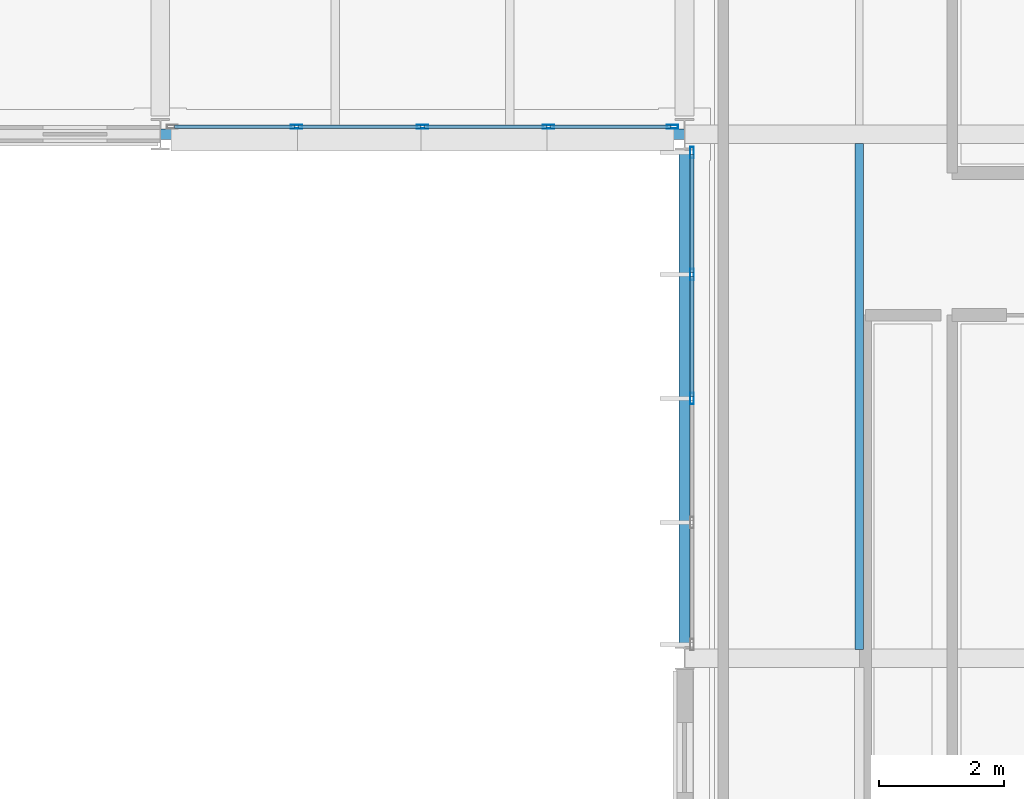
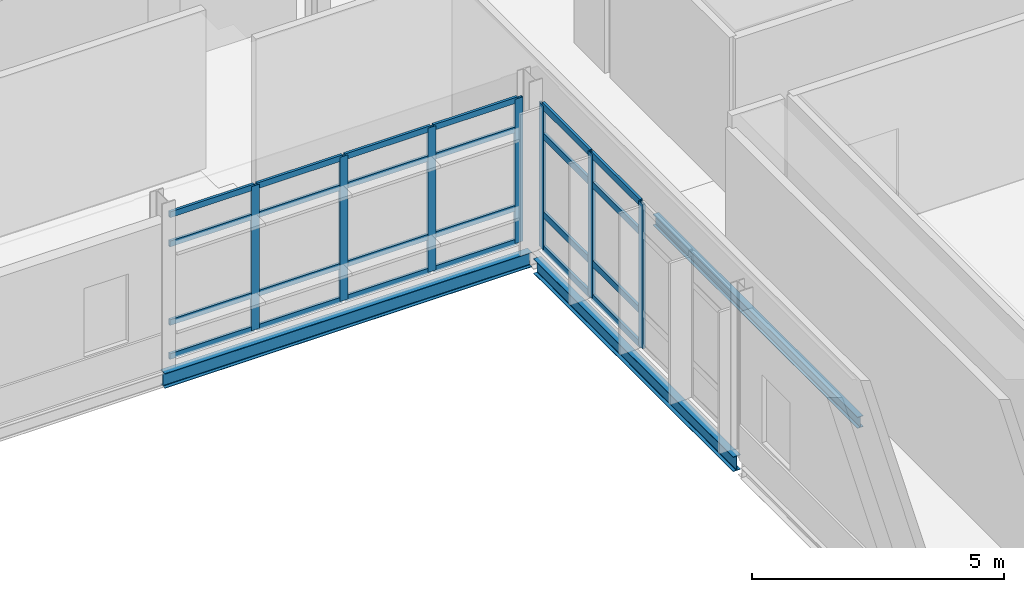
# One storey, part 101 of 151: 31 members, 3 beams, 2 elements without a shape of their own.
"""IFC4 building model written with IfcOpenShell, lengths in metres."""

import ifcopenshell
import ifcopenshell.guid

model = None  # the IFC model being written
_history = None  # IfcOwnerHistory: only IFC2X3 demands one
_inside = {}  # id of a spatial element -> (the spatial element, [elements in it])
_under = {}  # id of a project, library or spatial element -> (it, [spatial elements below it])
_declared = {}  # id of a project -> (the project, [libraries it declares])
_typed = {}  # id of a type object -> (the type object, [elements of that type])
_made_of = {}  # id of a material, layer set ... -> (it, [elements and type objects made of it])


def new_model(schema):
    """Start an empty IFC model of exactly this schema.

    Asked for "IFC4X3", IfcOpenShell would pick the latest addendum, in which some entities
    have other attributes; the version numbers below select the first issue.
    IFC2X3 requires an IfcOwnerHistory on every rooted entity: one is made here for all.
    """
    global model, _history
    if schema == "IFC4X3":
        model = ifcopenshell.file(schema_version=(4, 3, 0, 0))
    else:
        model = ifcopenshell.file(schema=schema)
    _inside.clear()
    _under.clear()
    _declared.clear()
    _typed.clear()
    _made_of.clear()
    _history = None
    if model.schema == "IFC2X3":
        org = make("IfcOrganization", Name="unknown")
        user = make(
            "IfcPersonAndOrganization",
            ThePerson=make("IfcPerson", FamilyName="unknown"),
            TheOrganization=org,
        )
        app = make(
            "IfcApplication",
            ApplicationDeveloper=org,
            Version="unknown",
            ApplicationFullName="unknown",
            ApplicationIdentifier="unknown",
        )
        _history = make(
            "IfcOwnerHistory",
            OwningUser=user,
            OwningApplication=app,
            ChangeAction="ADDED",
            CreationDate=0,
        )
    return model


def make(cls, **values):
    """One entity of the class cls with the attributes given. An attribute that is None is left unset."""
    return model.create_entity(
        cls, **{name: value for name, value in values.items() if value is not None}
    )


def rooted(cls, **values):
    """An entity with a GlobalId (a new one), such as an element, a storey or a relation."""
    return make(cls, GlobalId=ifcopenshell.guid.new(), OwnerHistory=_history, **values)


def si_unit(unit_type, name, prefix=None):
    """IfcSIUnit, for example si_unit("LENGTHUNIT", "METRE", prefix="MILLI")."""
    return make("IfcSIUnit", UnitType=unit_type, Prefix=prefix, Name=name)


def assignment(units):
    """IfcUnitAssignment: the units of a project."""
    return None if units is None else make("IfcUnitAssignment", Units=units)


def point(xyz):
    """IfcCartesianPoint."""
    return None if xyz is None else make("IfcCartesianPoint", Coordinates=xyz)


def direction(xyz):
    """IfcDirection."""
    return None if xyz is None else make("IfcDirection", DirectionRatios=xyz)


def frame(location, z_axis=None, x_axis=None):
    """IfcAxis2Placement3D, a coordinate frame: its origin and axes. An axis left out is left unset."""
    return make(
        "IfcAxis2Placement3D",
        Location=point(location),
        Axis=direction(z_axis),
        RefDirection=direction(x_axis),
    )


def frame_2d(location, x_axis=None):
    """IfcAxis2Placement2D, a coordinate frame in the plane: its origin and x axis."""
    return make(
        "IfcAxis2Placement2D", Location=point(location), RefDirection=direction(x_axis)
    )


def origin():
    """The frame at (0, 0, 0) with its axes left unset."""
    return frame((0.0, 0.0, 0.0))


def origin_2d():
    """The frame at (0, 0) in the plane with its x axis left unset."""
    return frame_2d((0.0, 0.0))


def place(relative_to, where):
    """IfcLocalPlacement: puts the frame where relative to a parent placement (None: the world)."""
    return make(
        "IfcLocalPlacement", PlacementRelTo=relative_to, RelativePlacement=where
    )


def context(
    kind, dimensions, precision=None, world=None, true_north=None, identifier=None
):
    """IfcGeometricRepresentationContext, for example the 3D "Model" context."""
    return make(
        "IfcGeometricRepresentationContext",
        ContextIdentifier=identifier,
        ContextType=kind,
        CoordinateSpaceDimension=dimensions,
        Precision=precision,
        WorldCoordinateSystem=world,
        TrueNorth=true_north,
    )


def subcontext(parent, identifier, kind, view, scale=None):
    """IfcGeometricRepresentationSubContext, for example "Body" below "Model"."""
    return make(
        "IfcGeometricRepresentationSubContext",
        ContextIdentifier=identifier,
        ContextType=kind,
        ParentContext=parent,
        TargetScale=scale,
        TargetView=view,
    )


def project(units=None, contexts=None):
    """IfcProject with its units and contexts."""
    return rooted(
        "IfcProject",
        Name="project",
        RepresentationContexts=contexts,
        UnitsInContext=assignment(units),
    )


def spatial(cls, under=None, at=None, **own):
    """A site, building, storey or space (cls), placed at a placement, below another one or the project."""
    s = rooted(cls, ObjectPlacement=at, **own)
    if under is not None:
        _under.setdefault(under.id(), (under, []))[1].append(s)
    return s


def profile(cls, at=None, kind="AREA", **sizes):
    """A parametric profile (cls). Its sizes go by their IFC names, for example OverallWidth=200.0."""
    return make(cls, ProfileType=kind, Position=at, **sizes)


def hollow_rectangle(**sizes):
    """IfcRectangleHollowProfileDef."""
    return profile("IfcRectangleHollowProfileDef", **sizes)


def i_section(**sizes):
    """IfcIShapeProfileDef."""
    return profile("IfcIShapeProfileDef", **sizes)


def extrude(swept, where, along, depth):
    """IfcExtrudedAreaSolid: the profile swept, set in the frame where, extruded along a direction by depth."""
    return make(
        "IfcExtrudedAreaSolid",
        SweptArea=swept,
        Position=where,
        ExtrudedDirection=direction(along),
        Depth=depth,
    )


def shape(context_of_items, identifier, shape_type, items):
    """IfcShapeRepresentation: the items that make up one representation, for example the "Body"."""
    return make(
        "IfcShapeRepresentation",
        ContextOfItems=context_of_items,
        RepresentationIdentifier=identifier,
        RepresentationType=shape_type,
        Items=items,
    )


def material(Name=None, Category=None):
    """IfcMaterial."""
    return make("IfcMaterial", Name=Name, Category=Category)


def material_profile(
    of_material, cross_section, Name=None, Category=None, Priority=None
):
    """IfcMaterialProfile: a cross section and its material."""
    return make(
        "IfcMaterialProfile",
        Name=Name,
        Material=of_material,
        Profile=cross_section,
        Priority=Priority,
        Category=Category,
    )


def profile_set(profiles, Name=None, composite=None):
    """IfcMaterialProfileSet."""
    return make(
        "IfcMaterialProfileSet",
        Name=Name,
        MaterialProfiles=profiles,
        CompositeProfile=composite,
    )


def made_of(thing, what):
    """Note that an element or type object is made of a material, layer set ...; save() writes the relation."""
    if what is not None:
        _made_of.setdefault(what.id(), (what, []))[1].append(thing)
    return thing


def type_object(cls, material=None, **own):
    """A type object (cls), such as IfcWallType, which elements share."""
    return made_of(rooted(cls, **own), material)


def element(
    cls,
    number,
    at=None,
    inside=None,
    cuts=None,
    type_object=None,
    material=None,
    context=None,
    identifier="Body",
    shape_type=None,
    held_by="IfcProductDefinitionShape",
    body=None,
    shapes=None,
    **own,
):
    """One element of the class cls, such as IfcWall. Its Tag is "e" and its number.

    at: its placement. inside: the storey or other place that contains it. cuts: it is an
    opening in that element (IfcRelVoidsElement). A single representation is given by context,
    identifier, shape_type and body (its items); several are given by shapes. held_by: the class
    of the entity that holds the representations. save() writes the other relations.
    """
    e = rooted(cls, Tag="e%d" % number, ObjectPlacement=at, **own)
    if body is not None:
        shapes = [shape(context, identifier, shape_type, body)]
    if shapes is not None:
        e.Representation = make(held_by, Representations=shapes)
    if inside is not None:
        _inside.setdefault(inside.id(), (inside, []))[1].append(e)
    if cuts is not None:
        rooted(
            "IfcRelVoidsElement", RelatingBuildingElement=cuts, RelatedOpeningElement=e
        )
    if type_object is not None:
        _typed.setdefault(type_object.id(), (type_object, []))[1].append(e)
    return made_of(e, material)


def aggregate(whole, parts):
    """IfcRelAggregates: a whole, such as a stair, and the parts it consists of."""
    return rooted("IfcRelAggregates", RelatingObject=whole, RelatedObjects=parts)


def save(model, path):
    """Write the relations noted so far, then the file.

    IfcRelAggregates (storeys below a building ...), IfcRelContainedInSpatialStructure (elements
    in a storey), IfcRelDefinesByType, IfcRelAssociatesMaterial and IfcRelDeclares: one each for
    every whole, place, type object, material and project.
    """
    for whole, parts in _under.values():
        aggregate(whole, parts)
    for where, things in _inside.values():
        rooted(
            "IfcRelContainedInSpatialStructure",
            RelatedElements=things,
            RelatingStructure=where,
        )
    for kind, things in _typed.values():
        rooted("IfcRelDefinesByType", RelatedObjects=things, RelatingType=kind)
    for what, things in _made_of.values():
        rooted("IfcRelAssociatesMaterial", RelatedObjects=things, RelatingMaterial=what)
    for by, libraries in _declared.values():
        rooted("IfcRelDeclares", RelatingContext=by, RelatedDefinitions=libraries)
    model.write(path)


model = new_model("IFC4")

# Units and contexts
model_context = context("Model", 3, precision=1e-05, world=origin(), true_north=direction((0.0, 1.0)))
body_context = subcontext(model_context, "Body", "Model", "MODEL_VIEW")
ifc_project = project(units=[si_unit("LENGTHUNIT", "METRE"), si_unit("AREAUNIT", "SQUARE_METRE"), si_unit("VOLUMEUNIT", "CUBIC_METRE"), si_unit("PLANEANGLEUNIT", "RADIAN"), si_unit("MASSUNIT", "GRAM", prefix="KILO")], contexts=[model_context])

# Site, building, storey
site_placement = place(None, origin())
site = spatial("IfcSite", under=ifc_project, at=site_placement, CompositionType="ELEMENT")
building_placement = place(site_placement, origin())
building = spatial("IfcBuilding", under=site, at=building_placement, Name="Mersafa Astral City Hall", CompositionType="ELEMENT")
storey_placement = place(building_placement, frame((0.0, 0.0, 9.89990234375)))
storey = spatial("IfcBuildingStorey", under=building, at=storey_placement, Name="L02", CompositionType="ELEMENT", Elevation=9.89990234375)

# Curtain wall, members
ifc_material_1 = material(Name="Anodised bronze aluminium framing", Category="aluminium")
curtain_wall_type_1 = type_object("IfcCurtainWallType", Name="ENV-CW-2", PredefinedType="USERDEFINED", material=ifc_material_1)
curtain_wall_1_placement = place(storey_placement, origin())
curtain_wall_1 = element("IfcCurtainWall", 1, at=curtain_wall_1_placement, inside=storey, type_object=curtain_wall_type_1, Name="L02 Unitised solar curtain wall 121", ObjectType="UNITISED CURTAIN WALL", PredefinedType="USERDEFINED")
ifc_material_profile_1 = material_profile(ifc_material_1, hollow_rectangle(XDim=0.06005859375, YDim=0.179931640625, WallThickness=0.00390625, at=origin_2d()), Name="RHS 60x180x4")
ifc_profile_set_1 = profile_set([ifc_material_profile_1], Name="Anodised bronze aluminium framing")
member_type_1 = type_object("IfcMemberType", Name="ENV-CW-MUL-1", PredefinedType="MULLION", material=ifc_profile_set_1)
member_1_placement = place(storey_placement, frame((153.381103515625, 100.919921875, -0.001953125), z_axis=(0.0, 0.0, 1.0), x_axis=(0.0, 1.0, 0.0)))
member_1 = element("IfcMember", 2, at=member_1_placement, type_object=member_type_1, Name="CW-2 mullion 2", PredefinedType="MULLION", context=body_context, shape_type="SweptSolid", body=[
    extrude(hollow_rectangle(XDim=0.06005859375, YDim=0.179931640625, WallThickness=0.00390625, at=origin_2d()), origin(), (0.0, 0.0, 1.0), 3.489013671875),
])
member_2_placement = place(storey_placement, frame((155.39990234375, 100.919921875, -0.001953125), z_axis=(0.0, 0.0, 1.0), x_axis=(0.0, 1.0, 0.0)))
member_2 = element("IfcMember", 3, at=member_2_placement, type_object=member_type_1, Name="CW-2 mullion 3", PredefinedType="MULLION", context=body_context, shape_type="SweptSolid", body=[
    extrude(hollow_rectangle(XDim=0.06005859375, YDim=0.179931640625, WallThickness=0.00390625, at=origin_2d()), origin(), (0.0, 0.0, 1.0), 3.489013671875),
])
member_3_placement = place(storey_placement, frame((157.4189453125, 100.919921875, -0.001953125), z_axis=(0.0, 0.0, 1.0), x_axis=(0.0, 1.0, 0.0)))
member_3 = element("IfcMember", 4, at=member_3_placement, type_object=member_type_1, Name="CW-2 mullion 4", PredefinedType="MULLION", context=body_context, shape_type="SweptSolid", body=[
    extrude(hollow_rectangle(XDim=0.06005859375, YDim=0.179931640625, WallThickness=0.00390625, at=origin_2d()), origin(), (0.0, 0.0, 1.0), 3.489013671875),
])
member_4_placement = place(storey_placement, frame((159.407958984375, 100.919921875, -0.001953125), z_axis=(0.0, 0.0, 1.0), x_axis=(0.0, 1.0, 0.0)))
member_4 = element("IfcMember", 5, at=member_4_placement, type_object=member_type_1, Name="CW-2 mullion 5", PredefinedType="MULLION", context=body_context, shape_type="SweptSolid", body=[
    extrude(hollow_rectangle(XDim=0.06005859375, YDim=0.179931640625, WallThickness=0.00390625, at=origin_2d()), origin(), (0.0, 0.0, 1.0), 3.489013671875),
])

curtain_wall_type_2 = type_object("IfcCurtainWallType", Name="ENV-CW-3", PredefinedType="USERDEFINED", material=ifc_material_1)
curtain_wall_2_placement = place(storey_placement, origin())
curtain_wall_2 = element("IfcCurtainWall", 6, at=curtain_wall_2_placement, inside=storey, type_object=curtain_wall_type_2, Name="L02 Unitised solar curtain wall 122", ObjectType="UNITISED CURTAIN WALL", PredefinedType="USERDEFINED")
member_5_placement = place(storey_placement, frame((159.719970703125, 100.508056640625, -0.001953125), z_axis=(0.0, 0.0, 1.0), x_axis=(1.0, 0.0, 0.0)))
member_5 = element("IfcMember", 7, at=member_5_placement, type_object=member_type_1, Name="CW-3 mullion 1", PredefinedType="MULLION", context=body_context, shape_type="SweptSolid", body=[
    extrude(hollow_rectangle(XDim=0.06005859375, YDim=0.179931640625, WallThickness=0.00390625, at=origin_2d()), origin(), (0.0, 0.0, 1.0), 3.489013671875),
])
member_6_placement = place(storey_placement, frame((159.719970703125, 98.551513671875, -0.001953125), z_axis=(0.0, 0.0, 1.0), x_axis=(1.0, 0.0, 0.0)))
member_6 = element("IfcMember", 8, at=member_6_placement, type_object=member_type_1, Name="CW-3 mullion 2", PredefinedType="MULLION", context=body_context, shape_type="SweptSolid", body=[
    extrude(hollow_rectangle(XDim=0.06005859375, YDim=0.179931640625, WallThickness=0.00390625, at=origin_2d()), origin(), (0.0, 0.0, 1.0), 3.489013671875),
])
member_7_placement = place(storey_placement, frame((159.719970703125, 96.56494140625, -0.001953125), z_axis=(0.0, 0.0, 1.0), x_axis=(1.0, 0.0, 0.0)))
member_7 = element("IfcMember", 9, at=member_7_placement, type_object=member_type_1, Name="CW-3 mullion 3", PredefinedType="MULLION", context=body_context, shape_type="SweptSolid", body=[
    extrude(hollow_rectangle(XDim=0.06005859375, YDim=0.179931640625, WallThickness=0.00390625, at=origin_2d()), origin(), (0.0, 0.0, 1.0), 3.489013671875),
])

# Member
ifc_material_profile_2 = material_profile(ifc_material_1, hollow_rectangle(XDim=0.06005859375, YDim=0.139892578125, WallThickness=0.00390625, at=origin_2d()), Name="RHS 60x140x4")
ifc_profile_set_2 = profile_set([ifc_material_profile_2], Name="Anodised bronze aluminium framing")
member_type_2 = type_object("IfcMemberType", Name="ENV-CW-TRN-1", PredefinedType="USERDEFINED", material=ifc_profile_set_2)
member_8_placement = place(storey_placement, frame((151.422119140625, 100.919921875, 0.028076171875), z_axis=(1.0, 0.0, 0.0), x_axis=(0.0, 1.0, 0.0)))
member_8 = element("IfcMember", 10, at=member_8_placement, type_object=member_type_2, Name="CW-2 transom 1.1", ObjectType="TRANSOM", PredefinedType="USERDEFINED", context=body_context, shape_type="SweptSolid", body=[
    extrude(hollow_rectangle(XDim=0.06005859375, YDim=0.139892578125, WallThickness=0.00390625, at=origin_2d()), origin(), (0.0, 0.0, 1.0), 1.928955078125),
])

member_9_placement = place(storey_placement, frame((151.422119140625, 100.919921875, 0.85009765625), z_axis=(1.0, 0.0, 0.0), x_axis=(0.0, 1.0, 0.0)))
member_9 = element("IfcMember", 11, at=member_9_placement, type_object=member_type_2, Name="CW-2 transom 1.2", ObjectType="TRANSOM", PredefinedType="USERDEFINED", context=body_context, shape_type="SweptSolid", body=[
    extrude(hollow_rectangle(XDim=0.06005859375, YDim=0.139892578125, WallThickness=0.00390625, at=origin_2d()), origin(), (0.0, 0.0, 1.0), 1.928955078125),
])

member_10_placement = place(storey_placement, frame((151.422119140625, 100.919921875, 2.75), z_axis=(1.0, 0.0, 0.0), x_axis=(0.0, 1.0, 0.0)))
member_10 = element("IfcMember", 12, at=member_10_placement, type_object=member_type_2, Name="CW-2 transom 1.3", ObjectType="TRANSOM", PredefinedType="USERDEFINED", context=body_context, shape_type="SweptSolid", body=[
    extrude(hollow_rectangle(XDim=0.06005859375, YDim=0.139892578125, WallThickness=0.00390625, at=origin_2d()), origin(), (0.0, 0.0, 1.0), 1.928955078125),
])

member_11_placement = place(storey_placement, frame((151.422119140625, 100.919921875, 3.45703125), z_axis=(1.0, 0.0, 0.0), x_axis=(0.0, 1.0, 0.0)))
member_11 = element("IfcMember", 13, at=member_11_placement, type_object=member_type_2, Name="CW-2 transom 1.4", ObjectType="TRANSOM", PredefinedType="USERDEFINED", context=body_context, shape_type="SweptSolid", body=[
    extrude(hollow_rectangle(XDim=0.06005859375, YDim=0.139892578125, WallThickness=0.00390625, at=origin_2d()), origin(), (0.0, 0.0, 1.0), 1.928955078125),
])

member_12_placement = place(storey_placement, frame((153.410888671875, 100.919921875, 0.028076171875), z_axis=(1.0, 0.0, 0.0), x_axis=(0.0, 1.0, 0.0)))
member_12 = element("IfcMember", 14, at=member_12_placement, type_object=member_type_2, Name="CW-2 transom 2.1", ObjectType="TRANSOM", PredefinedType="USERDEFINED", context=body_context, shape_type="SweptSolid", body=[
    extrude(hollow_rectangle(XDim=0.06005859375, YDim=0.139892578125, WallThickness=0.00390625, at=origin_2d()), origin(), (0.0, 0.0, 1.0), 1.959228515625),
])

member_13_placement = place(storey_placement, frame((153.410888671875, 100.919921875, 0.85009765625), z_axis=(1.0, 0.0, 0.0), x_axis=(0.0, 1.0, 0.0)))
member_13 = element("IfcMember", 15, at=member_13_placement, type_object=member_type_2, Name="CW-2 transom 2.2", ObjectType="TRANSOM", PredefinedType="USERDEFINED", context=body_context, shape_type="SweptSolid", body=[
    extrude(hollow_rectangle(XDim=0.06005859375, YDim=0.139892578125, WallThickness=0.00390625, at=origin_2d()), origin(), (0.0, 0.0, 1.0), 1.959228515625),
])

member_14_placement = place(storey_placement, frame((153.410888671875, 100.919921875, 2.75), z_axis=(1.0, 0.0, 0.0), x_axis=(0.0, 1.0, 0.0)))
member_14 = element("IfcMember", 16, at=member_14_placement, type_object=member_type_2, Name="CW-2 transom 2.3", ObjectType="TRANSOM", PredefinedType="USERDEFINED", context=body_context, shape_type="SweptSolid", body=[
    extrude(hollow_rectangle(XDim=0.06005859375, YDim=0.139892578125, WallThickness=0.00390625, at=origin_2d()), origin(), (0.0, 0.0, 1.0), 1.959228515625),
])

member_15_placement = place(storey_placement, frame((153.410888671875, 100.919921875, 3.45703125), z_axis=(1.0, 0.0, 0.0), x_axis=(0.0, 1.0, 0.0)))
member_15 = element("IfcMember", 17, at=member_15_placement, type_object=member_type_2, Name="CW-2 transom 2.4", ObjectType="TRANSOM", PredefinedType="USERDEFINED", context=body_context, shape_type="SweptSolid", body=[
    extrude(hollow_rectangle(XDim=0.06005859375, YDim=0.139892578125, WallThickness=0.00390625, at=origin_2d()), origin(), (0.0, 0.0, 1.0), 1.959228515625),
])

member_16_placement = place(storey_placement, frame((155.429931640625, 100.919921875, 0.028076171875), z_axis=(1.0, 0.0, 0.0), x_axis=(0.0, 1.0, 0.0)))
member_16 = element("IfcMember", 18, at=member_16_placement, type_object=member_type_2, Name="CW-2 transom 3.1", ObjectType="TRANSOM", PredefinedType="USERDEFINED", context=body_context, shape_type="SweptSolid", body=[
    extrude(hollow_rectangle(XDim=0.06005859375, YDim=0.139892578125, WallThickness=0.00390625, at=origin_2d()), origin(), (0.0, 0.0, 1.0), 1.958984375),
])

member_17_placement = place(storey_placement, frame((155.429931640625, 100.919921875, 0.85009765625), z_axis=(1.0, 0.0, 0.0), x_axis=(0.0, 1.0, 0.0)))
member_17 = element("IfcMember", 19, at=member_17_placement, type_object=member_type_2, Name="CW-2 transom 3.2", ObjectType="TRANSOM", PredefinedType="USERDEFINED", context=body_context, shape_type="SweptSolid", body=[
    extrude(hollow_rectangle(XDim=0.06005859375, YDim=0.139892578125, WallThickness=0.00390625, at=origin_2d()), origin(), (0.0, 0.0, 1.0), 1.958984375),
])

member_18_placement = place(storey_placement, frame((155.429931640625, 100.919921875, 2.75), z_axis=(1.0, 0.0, 0.0), x_axis=(0.0, 1.0, 0.0)))
member_18 = element("IfcMember", 20, at=member_18_placement, type_object=member_type_2, Name="CW-2 transom 3.3", ObjectType="TRANSOM", PredefinedType="USERDEFINED", context=body_context, shape_type="SweptSolid", body=[
    extrude(hollow_rectangle(XDim=0.06005859375, YDim=0.139892578125, WallThickness=0.00390625, at=origin_2d()), origin(), (0.0, 0.0, 1.0), 1.958984375),
])

member_19_placement = place(storey_placement, frame((155.429931640625, 100.919921875, 3.45703125), z_axis=(1.0, 0.0, 0.0), x_axis=(0.0, 1.0, 0.0)))
member_19 = element("IfcMember", 21, at=member_19_placement, type_object=member_type_2, Name="CW-2 transom 3.4", ObjectType="TRANSOM", PredefinedType="USERDEFINED", context=body_context, shape_type="SweptSolid", body=[
    extrude(hollow_rectangle(XDim=0.06005859375, YDim=0.139892578125, WallThickness=0.00390625, at=origin_2d()), origin(), (0.0, 0.0, 1.0), 1.958984375),
])

member_20_placement = place(storey_placement, frame((157.448974609375, 100.919921875, 0.028076171875), z_axis=(1.0, 0.0, 0.0), x_axis=(0.0, 1.0, 0.0)))
member_20 = element("IfcMember", 22, at=member_20_placement, type_object=member_type_2, Name="CW-2 transom 4.1", ObjectType="TRANSOM", PredefinedType="USERDEFINED", context=body_context, shape_type="SweptSolid", body=[
    extrude(hollow_rectangle(XDim=0.06005859375, YDim=0.139892578125, WallThickness=0.00390625, at=origin_2d()), origin(), (0.0, 0.0, 1.0), 1.928955078125),
])

member_21_placement = place(storey_placement, frame((157.448974609375, 100.919921875, 0.85009765625), z_axis=(1.0, 0.0, 0.0), x_axis=(0.0, 1.0, 0.0)))
member_21 = element("IfcMember", 23, at=member_21_placement, type_object=member_type_2, Name="CW-2 transom 4.2", ObjectType="TRANSOM", PredefinedType="USERDEFINED", context=body_context, shape_type="SweptSolid", body=[
    extrude(hollow_rectangle(XDim=0.06005859375, YDim=0.139892578125, WallThickness=0.00390625, at=origin_2d()), origin(), (0.0, 0.0, 1.0), 1.928955078125),
])

member_22_placement = place(storey_placement, frame((157.448974609375, 100.919921875, 2.75), z_axis=(1.0, 0.0, 0.0), x_axis=(0.0, 1.0, 0.0)))
member_22 = element("IfcMember", 24, at=member_22_placement, type_object=member_type_2, Name="CW-2 transom 4.3", ObjectType="TRANSOM", PredefinedType="USERDEFINED", context=body_context, shape_type="SweptSolid", body=[
    extrude(hollow_rectangle(XDim=0.06005859375, YDim=0.139892578125, WallThickness=0.00390625, at=origin_2d()), origin(), (0.0, 0.0, 1.0), 1.928955078125),
])

member_23_placement = place(storey_placement, frame((157.448974609375, 100.919921875, 3.45703125), z_axis=(1.0, 0.0, 0.0), x_axis=(0.0, 1.0, 0.0)))
member_23 = element("IfcMember", 25, at=member_23_placement, type_object=member_type_2, Name="CW-2 transom 4.4", ObjectType="TRANSOM", PredefinedType="USERDEFINED", context=body_context, shape_type="SweptSolid", body=[
    extrude(hollow_rectangle(XDim=0.06005859375, YDim=0.139892578125, WallThickness=0.00390625, at=origin_2d()), origin(), (0.0, 0.0, 1.0), 1.928955078125),
])

aggregate(curtain_wall_1, [member_1, member_2, member_3, member_4, member_8, member_9, member_10, member_11, member_12, member_13, member_14, member_15, member_16, member_17, member_18, member_19, member_20, member_21, member_22, member_23])

ifc_material_profile_3 = material_profile(ifc_material_1, hollow_rectangle(XDim=0.06005859375, YDim=0.159912109375, WallThickness=0.00390625, at=origin_2d()), Name="RHS 60x160x4")
ifc_profile_set_3 = profile_set([ifc_material_profile_3], Name="Anodised bronze aluminium framing")
member_type_3 = type_object("IfcMemberType", Name="ENV-CW-TRN-2", PredefinedType="USERDEFINED", material=ifc_profile_set_3)
member_24_placement = place(storey_placement, frame((159.719970703125, 100.47802734375, 0.028076171875), z_axis=(0.0, -1.0, 0.0), x_axis=(1.0, 0.0, 0.0)))
member_24 = element("IfcMember", 26, at=member_24_placement, type_object=member_type_3, Name="CW-3 transom 1.1", ObjectType="TRANSOM", PredefinedType="USERDEFINED", context=body_context, shape_type="SweptSolid", body=[
    extrude(hollow_rectangle(XDim=0.06005859375, YDim=0.159912109375, WallThickness=0.00390625, at=origin_2d()), origin(), (0.0, 0.0, 1.0), 1.896484375),
])

member_25_placement = place(storey_placement, frame((159.719970703125, 100.47802734375, 0.85009765625), z_axis=(0.0, -1.0, 0.0), x_axis=(1.0, 0.0, 0.0)))
member_25 = element("IfcMember", 27, at=member_25_placement, type_object=member_type_3, Name="CW-3 transom 1.2", ObjectType="TRANSOM", PredefinedType="USERDEFINED", context=body_context, shape_type="SweptSolid", body=[
    extrude(hollow_rectangle(XDim=0.06005859375, YDim=0.159912109375, WallThickness=0.00390625, at=origin_2d()), origin(), (0.0, 0.0, 1.0), 1.896484375),
])

member_26_placement = place(storey_placement, frame((159.719970703125, 100.47802734375, 2.75), z_axis=(0.0, -1.0, 0.0), x_axis=(1.0, 0.0, 0.0)))
member_26 = element("IfcMember", 28, at=member_26_placement, type_object=member_type_3, Name="CW-3 transom 1.3", ObjectType="TRANSOM", PredefinedType="USERDEFINED", context=body_context, shape_type="SweptSolid", body=[
    extrude(hollow_rectangle(XDim=0.06005859375, YDim=0.159912109375, WallThickness=0.00390625, at=origin_2d()), origin(), (0.0, 0.0, 1.0), 1.896484375),
])

member_27_placement = place(storey_placement, frame((159.719970703125, 100.47802734375, 3.45703125), z_axis=(0.0, -1.0, 0.0), x_axis=(1.0, 0.0, 0.0)))
member_27 = element("IfcMember", 29, at=member_27_placement, type_object=member_type_3, Name="CW-3 transom 1.4", ObjectType="TRANSOM", PredefinedType="USERDEFINED", context=body_context, shape_type="SweptSolid", body=[
    extrude(hollow_rectangle(XDim=0.06005859375, YDim=0.159912109375, WallThickness=0.00390625, at=origin_2d()), origin(), (0.0, 0.0, 1.0), 1.896484375),
])

member_28_placement = place(storey_placement, frame((159.719970703125, 98.521484375, 0.028076171875), z_axis=(0.0, -1.0, 0.0), x_axis=(1.0, 0.0, 0.0)))
member_28 = element("IfcMember", 30, at=member_28_placement, type_object=member_type_3, Name="CW-3 transom 2.1", ObjectType="TRANSOM", PredefinedType="USERDEFINED", context=body_context, shape_type="SweptSolid", body=[
    extrude(hollow_rectangle(XDim=0.06005859375, YDim=0.159912109375, WallThickness=0.00390625, at=origin_2d()), origin(), (0.0, 0.0, 1.0), 1.926513671875),
])

member_29_placement = place(storey_placement, frame((159.719970703125, 98.521484375, 0.85009765625), z_axis=(0.0, -1.0, 0.0), x_axis=(1.0, 0.0, 0.0)))
member_29 = element("IfcMember", 31, at=member_29_placement, type_object=member_type_3, Name="CW-3 transom 2.2", ObjectType="TRANSOM", PredefinedType="USERDEFINED", context=body_context, shape_type="SweptSolid", body=[
    extrude(hollow_rectangle(XDim=0.06005859375, YDim=0.159912109375, WallThickness=0.00390625, at=origin_2d()), origin(), (0.0, 0.0, 1.0), 1.926513671875),
])

member_30_placement = place(storey_placement, frame((159.719970703125, 98.521484375, 2.75), z_axis=(0.0, -1.0, 0.0), x_axis=(1.0, 0.0, 0.0)))
member_30 = element("IfcMember", 32, at=member_30_placement, type_object=member_type_3, Name="CW-3 transom 2.3", ObjectType="TRANSOM", PredefinedType="USERDEFINED", context=body_context, shape_type="SweptSolid", body=[
    extrude(hollow_rectangle(XDim=0.06005859375, YDim=0.159912109375, WallThickness=0.00390625, at=origin_2d()), origin(), (0.0, 0.0, 1.0), 1.926513671875),
])

member_31_placement = place(storey_placement, frame((159.719970703125, 98.521484375, 3.45703125), z_axis=(0.0, -1.0, 0.0), x_axis=(1.0, 0.0, 0.0)))
member_31 = element("IfcMember", 33, at=member_31_placement, type_object=member_type_3, Name="CW-3 transom 2.4", ObjectType="TRANSOM", PredefinedType="USERDEFINED", context=body_context, shape_type="SweptSolid", body=[
    extrude(hollow_rectangle(XDim=0.06005859375, YDim=0.159912109375, WallThickness=0.00390625, at=origin_2d()), origin(), (0.0, 0.0, 1.0), 1.926513671875),
])

aggregate(curtain_wall_2, [member_5, member_6, member_7, member_24, member_25, member_26, member_27, member_28, member_29, member_30, member_31])

# Beams
ifc_material_2 = material(Name="Steel S355", Category="steel")
ifc_material_profile_4 = material_profile(ifc_material_2, i_section(OverallWidth=0.135009765625, OverallDepth=0.27001953125, WebThickness=0.006591796875, FlangeThickness=0.01025390625, FilletRadius=0.014892578125, at=origin_2d()), Name="IPE 270")
ifc_profile_set_4 = profile_set([ifc_material_profile_4], Name="Steel S355")
beam_type_1 = type_object("IfcBeamType", Name="STR-BM-JOIST-IPE270", PredefinedType="JOIST", material=ifc_profile_set_4)
beam_1_placement = place(storey_placement, frame((162.39990234375, 92.544921875, -0.3349609375), z_axis=(0.0, 1.0, 0.0), x_axis=(-1.0, 0.0, 0.0)))
element("IfcBeam", 34, at=beam_1_placement, inside=storey, type_object=beam_type_1, Name="L02 Composite secondary floor joist 532", PredefinedType="JOIST", context=body_context, shape_type="SweptSolid", body=[
    extrude(i_section(OverallWidth=0.135009765625, OverallDepth=0.27001953125, WebThickness=0.006591796875, FlangeThickness=0.01025390625, FilletRadius=0.014892578125, at=origin_2d()), origin(), (0.0, 0.0, 1.0), 8.110107421875),
])
ifc_material_profile_5 = material_profile(ifc_material_2, i_section(OverallWidth=0.169921875, OverallDepth=0.360107421875, WebThickness=0.008056640625, FlangeThickness=0.0126953125, FilletRadius=0.01806640625, at=origin_2d()), Name="IPE 360")
ifc_profile_set_5 = profile_set([ifc_material_profile_5], Name="Steel S355")
beam_type_2 = type_object("IfcBeamType", Name="STR-BM-SPANDREL-IPE360", PredefinedType="SPANDREL", material=ifc_profile_set_5)
beam_2_placement = place(storey_placement, frame((151.202880859375, 100.800048828125, -0.3798828125), z_axis=(1.0, 0.0, 0.0), x_axis=(0.0, 1.0, 0.0)))
element("IfcBeam", 35, at=beam_2_placement, inside=storey, type_object=beam_type_2, Name="L02 Primary girder X 18-12", PredefinedType="SPANDREL", context=body_context, shape_type="SweptSolid", body=[
    extrude(i_section(OverallWidth=0.169921875, OverallDepth=0.360107421875, WebThickness=0.008056640625, FlangeThickness=0.0126953125, FilletRadius=0.01806640625, at=origin_2d()), origin(), (0.0, 0.0, 1.0), 8.39404296875),
])
beam_3_placement = place(storey_placement, frame((159.60009765625, 92.594970703125, -0.3798828125), z_axis=(0.0, 1.0, 0.0), x_axis=(-1.0, 0.0, 0.0)))
element("IfcBeam", 36, at=beam_3_placement, inside=storey, type_object=beam_type_2, Name="L02 Primary girder Y 19-11", PredefinedType="SPANDREL", context=body_context, shape_type="SweptSolid", body=[
    extrude(i_section(OverallWidth=0.169921875, OverallDepth=0.360107421875, WebThickness=0.008056640625, FlangeThickness=0.0126953125, FilletRadius=0.01806640625, at=origin_2d()), origin(), (0.0, 0.0, 1.0), 7.909912109375),
])

save(model, "model.ifc")
